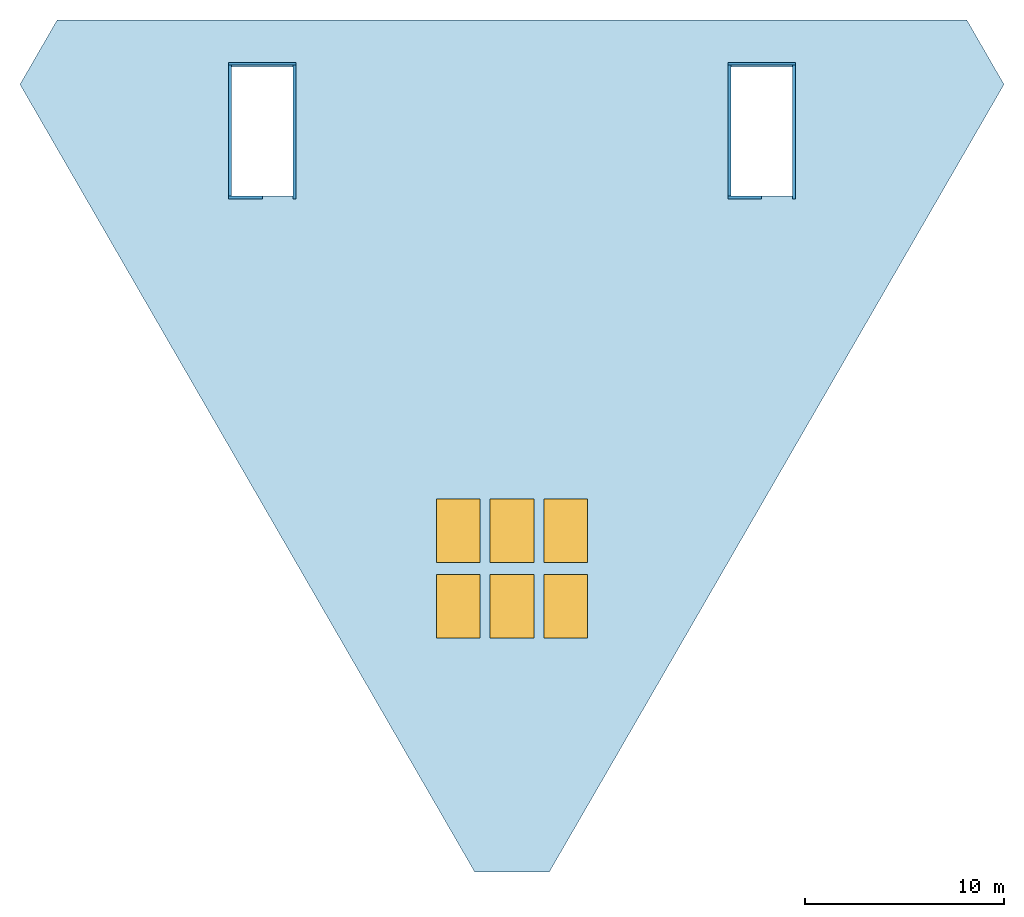
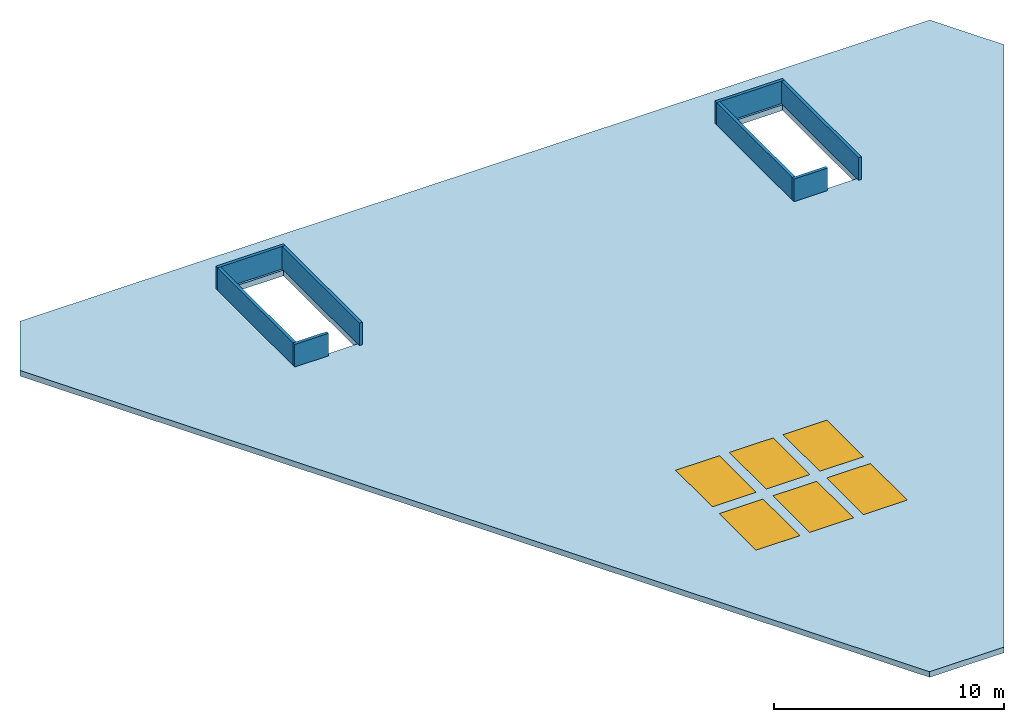
"""IFC4 building model written with IfcOpenShell, lengths in metres."""

from ifc_helpers import new_model, si_unit, direction, frame, frame_2d, origin, origin_2d, place, context, subcontext, project, spatial, polyline, rectangle, outline, extrude, material, layer, layer_set, type_object, element, fill, save


model = new_model("IFC4")

# Units and contexts
model_context = context("Model", 3, precision=1e-05, world=origin(), true_north=direction((0.0, 1.0)))
body_context = subcontext(model_context, "Body", "Model", "MODEL_VIEW")
ifc_project = project(units=[si_unit("LENGTHUNIT", "METRE"), si_unit("AREAUNIT", "SQUARE_METRE"), si_unit("VOLUMEUNIT", "CUBIC_METRE"), si_unit("PLANEANGLEUNIT", "RADIAN"), si_unit("MASSUNIT", "GRAM", prefix="KILO")], contexts=[model_context])

# Site, building, storey
site_placement = place(None, origin())
site = spatial("IfcSite", under=ifc_project, at=site_placement, CompositionType="ELEMENT")
building_placement = place(site_placement, origin())
building = spatial("IfcBuilding", under=site, at=building_placement, Name="Njiva Tower", CompositionType="ELEMENT")
storey_1_placement = place(building_placement, frame((0.0, 0.0, 343.8)))
storey_1 = spatial("IfcBuildingStorey", under=building, at=storey_1_placement, Name="Roof", CompositionType="ELEMENT", Elevation=343.8)

# Slab, openings
ifc_material_1 = material(Name="Concrete C30/37", Category="concrete")
ifc_layer_1 = layer(ifc_material_1, 0.3)
ifc_layer_set_1 = layer_set([ifc_layer_1], Name="Concrete C30/37")
slab_type = type_object("IfcSlabType", Name="SL19 Roof slab 300", PredefinedType="ROOF", material=ifc_layer_set_1)
slab_placement = place(storey_1_placement, frame((0.0, 0.0, -0.3)))
slab = element("IfcSlab", 1, at=slab_placement, inside=storey_1, type_object=slab_type, Name="Roof slab", PredefinedType="ROOF", context=body_context, shape_type="SweptSolid", body=[
    extrude(outline(polyline([(24.7402, 16.7359), (1.8701, -22.8763), (-1.8701, -22.8763), (-24.7402, 16.7359), (-22.8701, 19.975), (22.8701, 19.975), (24.7402, 16.7359)]), holes=[polyline([(-14.106, 11.13), (-10.994, 11.13), (-10.994, 17.6), (-14.106, 17.6), (-14.106, 11.13)]), polyline([(10.994, 11.13), (14.106, 11.13), (14.106, 17.6), (10.994, 17.6), (10.994, 11.13)])]), origin(), (0.0, 0.0, 1.0), 0.3),
])
opening_1_placement = place(slab_placement, frame((-2.7, -9.5, 0.0)))
opening_1 = element("IfcOpeningElement", 2, at=opening_1_placement, cuts=slab, Name="Opening CR-RL1", PredefinedType="OPENING", context=body_context, shape_type="SweptSolid", body=[
    extrude(rectangle(XDim=2.2, YDim=3.2, at=origin_2d()), origin(), (0.0, 0.0, 1.0), 0.3),
])
opening_2_placement = place(slab_placement, frame((0.0, -9.5, 0.0)))
opening_2 = element("IfcOpeningElement", 3, at=opening_2_placement, cuts=slab, Name="Opening CR-RL2", PredefinedType="OPENING", context=body_context, shape_type="SweptSolid", body=[
    extrude(rectangle(XDim=2.2, YDim=3.2, at=origin_2d()), origin(), (0.0, 0.0, 1.0), 0.3),
])
opening_3_placement = place(slab_placement, frame((2.7, -9.5, 0.0)))
opening_3 = element("IfcOpeningElement", 4, at=opening_3_placement, cuts=slab, Name="Opening CR-RL3", PredefinedType="OPENING", context=body_context, shape_type="SweptSolid", body=[
    extrude(rectangle(XDim=2.2, YDim=3.2, at=origin_2d()), origin(), (0.0, 0.0, 1.0), 0.3),
])
opening_4_placement = place(slab_placement, frame((-2.7, -5.7, 0.0)))
opening_4 = element("IfcOpeningElement", 5, at=opening_4_placement, cuts=slab, Name="Opening CR-RL4", PredefinedType="OPENING", context=body_context, shape_type="SweptSolid", body=[
    extrude(rectangle(XDim=2.2, YDim=3.2, at=origin_2d()), origin(), (0.0, 0.0, 1.0), 0.3),
])
opening_5_placement = place(slab_placement, frame((0.0, -5.7, 0.0)))
opening_5 = element("IfcOpeningElement", 6, at=opening_5_placement, cuts=slab, Name="Opening CR-RL5", PredefinedType="OPENING", context=body_context, shape_type="SweptSolid", body=[
    extrude(rectangle(XDim=2.2, YDim=3.2, at=origin_2d()), origin(), (0.0, 0.0, 1.0), 0.3),
])
opening_6_placement = place(slab_placement, frame((2.7, -5.7, 0.0)))
opening_6 = element("IfcOpeningElement", 7, at=opening_6_placement, cuts=slab, Name="Opening CR-RL6", PredefinedType="OPENING", context=body_context, shape_type="SweptSolid", body=[
    extrude(rectangle(XDim=2.2, YDim=3.2, at=origin_2d()), origin(), (0.0, 0.0, 1.0), 0.3),
])

# Storey
storey_2_placement = place(building_placement, frame((0.0, 0.0, 337.8)))
storey_2 = spatial("IfcBuildingStorey", under=building, at=storey_2_placement, Name="L77", CompositionType="ELEMENT", Elevation=337.8)

# Window
ifc_material_2 = material(Name="Clear laminated glass in aluminium frame", Category="aluminium")
window_type = type_object("IfcWindowType", Name="W99 Atrium rooflight 2200x3200", PartitioningType="SINGLE_PANEL", PredefinedType="SKYLIGHT", material=ifc_material_2)
window_1_placement = place(opening_1_placement, frame((0.0, 0.0, 0.25)))
window_1 = element("IfcWindow", 8, at=window_1_placement, inside=storey_2, type_object=window_type, Name="Atrium rooflight", OverallHeight=3.2, OverallWidth=2.2, PartitioningType="SINGLE_PANEL", PredefinedType="SKYLIGHT", context=body_context, shape_type="SweptSolid", body=[
    extrude(rectangle(XDim=2.2, YDim=3.2, at=origin_2d()), origin(), (0.0, 0.0, 1.0), 0.05),
])

fill(opening_1, window_1)

window_2_placement = place(opening_2_placement, frame((0.0, 0.0, 0.25)))
window_2 = element("IfcWindow", 9, at=window_2_placement, inside=storey_2, type_object=window_type, Name="Atrium rooflight", OverallHeight=3.2, OverallWidth=2.2, PartitioningType="SINGLE_PANEL", PredefinedType="SKYLIGHT", context=body_context, shape_type="SweptSolid", body=[
    extrude(rectangle(XDim=2.2, YDim=3.2, at=origin_2d()), origin(), (0.0, 0.0, 1.0), 0.05),
])

fill(opening_2, window_2)

window_3_placement = place(opening_3_placement, frame((0.0, 0.0, 0.25)))
window_3 = element("IfcWindow", 10, at=window_3_placement, inside=storey_2, type_object=window_type, Name="Atrium rooflight", OverallHeight=3.2, OverallWidth=2.2, PartitioningType="SINGLE_PANEL", PredefinedType="SKYLIGHT", context=body_context, shape_type="SweptSolid", body=[
    extrude(rectangle(XDim=2.2, YDim=3.2, at=origin_2d()), origin(), (0.0, 0.0, 1.0), 0.05),
])

fill(opening_3, window_3)

window_4_placement = place(opening_4_placement, frame((0.0, 0.0, 0.25)))
window_4 = element("IfcWindow", 11, at=window_4_placement, inside=storey_2, type_object=window_type, Name="Atrium rooflight", OverallHeight=3.2, OverallWidth=2.2, PartitioningType="SINGLE_PANEL", PredefinedType="SKYLIGHT", context=body_context, shape_type="SweptSolid", body=[
    extrude(rectangle(XDim=2.2, YDim=3.2, at=origin_2d()), origin(), (0.0, 0.0, 1.0), 0.05),
])

fill(opening_4, window_4)

window_5_placement = place(opening_5_placement, frame((0.0, 0.0, 0.25)))
window_5 = element("IfcWindow", 12, at=window_5_placement, inside=storey_2, type_object=window_type, Name="Atrium rooflight", OverallHeight=3.2, OverallWidth=2.2, PartitioningType="SINGLE_PANEL", PredefinedType="SKYLIGHT", context=body_context, shape_type="SweptSolid", body=[
    extrude(rectangle(XDim=2.2, YDim=3.2, at=origin_2d()), origin(), (0.0, 0.0, 1.0), 0.05),
])

fill(opening_5, window_5)

window_6_placement = place(opening_6_placement, frame((0.0, 0.0, 0.25)))
window_6 = element("IfcWindow", 13, at=window_6_placement, inside=storey_2, type_object=window_type, Name="Atrium rooflight", OverallHeight=3.2, OverallWidth=2.2, PartitioningType="SINGLE_PANEL", PredefinedType="SKYLIGHT", context=body_context, shape_type="SweptSolid", body=[
    extrude(rectangle(XDim=2.2, YDim=3.2, at=origin_2d()), origin(), (0.0, 0.0, 1.0), 0.05),
])

fill(opening_6, window_6)

# Walls
ifc_material_3 = material(Name="Blockwork", Category="masonry")
ifc_layer_2 = layer(ifc_material_3, 0.15)
ifc_layer_set_2 = layer_set([ifc_layer_2], Name="Blockwork")
wall_type = type_object("IfcWallType", Name="WT1 Compartment partition 150", PredefinedType="PARTITIONING", material=ifc_layer_set_2)
wall_1_placement = place(storey_1_placement, frame((-14.25, 11.055, 0.0), z_axis=(0.0, 0.0, 1.0), x_axis=(1.0, 0.0, 0.0)))
element("IfcWall", 14, at=wall_1_placement, inside=storey_1, type_object=wall_type, Name="Stair A roof opening upstand", PredefinedType="PARTITIONING", context=body_context, shape_type="SweptSolid", body=[
    extrude(rectangle(XDim=1.7, YDim=0.15, at=frame_2d((0.85, 0.0))), origin(), (0.0, 0.0, 1.0), 1.2),
])
wall_2_placement = place(storey_1_placement, frame((-14.175, 10.98, 0.0), z_axis=(0.0, 0.0, 1.0), x_axis=(0.0, 1.0, 0.0)))
element("IfcWall", 15, at=wall_2_placement, inside=storey_1, type_object=wall_type, Name="Stair A roof opening upstand", PredefinedType="PARTITIONING", context=body_context, shape_type="SweptSolid", body=[
    extrude(rectangle(XDim=6.795, YDim=0.15, at=frame_2d((3.3975, 0.0))), origin(), (0.0, 0.0, 1.0), 1.2),
])
wall_3_placement = place(storey_1_placement, frame((-14.25, 17.775, 0.0), z_axis=(0.0, 0.0, 1.0), x_axis=(1.0, 0.0, 0.0)))
element("IfcWall", 16, at=wall_3_placement, inside=storey_1, type_object=wall_type, Name="Stair A roof opening upstand", PredefinedType="PARTITIONING", context=body_context, shape_type="SweptSolid", body=[
    extrude(rectangle(XDim=3.4, YDim=0.15, at=frame_2d((1.7, 0.0))), origin(), (0.0, 0.0, 1.0), 1.2),
])
wall_4_placement = place(storey_1_placement, frame((-10.925, 17.775, 0.0), z_axis=(0.0, 0.0, 1.0), x_axis=(0.0, -1.0, 0.0)))
element("IfcWall", 17, at=wall_4_placement, inside=storey_1, type_object=wall_type, Name="Stair A roof opening upstand", PredefinedType="PARTITIONING", context=body_context, shape_type="SweptSolid", body=[
    extrude(rectangle(XDim=6.795, YDim=0.15, at=frame_2d((3.3975, 0.0))), origin(), (0.0, 0.0, 1.0), 1.2),
])
wall_5_placement = place(storey_1_placement, frame((10.85, 11.055, 0.0), z_axis=(0.0, 0.0, 1.0), x_axis=(1.0, 0.0, 0.0)))
element("IfcWall", 18, at=wall_5_placement, inside=storey_1, type_object=wall_type, Name="Stair B roof opening upstand", PredefinedType="PARTITIONING", context=body_context, shape_type="SweptSolid", body=[
    extrude(rectangle(XDim=1.7, YDim=0.15, at=frame_2d((0.85, 0.0))), origin(), (0.0, 0.0, 1.0), 1.2),
])
wall_6_placement = place(storey_1_placement, frame((10.925, 10.98, 0.0), z_axis=(0.0, 0.0, 1.0), x_axis=(0.0, 1.0, 0.0)))
element("IfcWall", 19, at=wall_6_placement, inside=storey_1, type_object=wall_type, Name="Stair B roof opening upstand", PredefinedType="PARTITIONING", context=body_context, shape_type="SweptSolid", body=[
    extrude(rectangle(XDim=6.795, YDim=0.15, at=frame_2d((3.3975, 0.0))), origin(), (0.0, 0.0, 1.0), 1.2),
])
wall_7_placement = place(storey_1_placement, frame((10.85, 17.775, 0.0), z_axis=(0.0, 0.0, 1.0), x_axis=(1.0, 0.0, 0.0)))
element("IfcWall", 20, at=wall_7_placement, inside=storey_1, type_object=wall_type, Name="Stair B roof opening upstand", PredefinedType="PARTITIONING", context=body_context, shape_type="SweptSolid", body=[
    extrude(rectangle(XDim=3.4, YDim=0.15, at=frame_2d((1.7, 0.0))), origin(), (0.0, 0.0, 1.0), 1.2),
])
wall_8_placement = place(storey_1_placement, frame((14.175, 17.775, 0.0), z_axis=(0.0, 0.0, 1.0), x_axis=(0.0, -1.0, 0.0)))
element("IfcWall", 21, at=wall_8_placement, inside=storey_1, type_object=wall_type, Name="Stair B roof opening upstand", PredefinedType="PARTITIONING", context=body_context, shape_type="SweptSolid", body=[
    extrude(rectangle(XDim=6.795, YDim=0.15, at=frame_2d((3.3975, 0.0))), origin(), (0.0, 0.0, 1.0), 1.2),
])

save(model, "model.ifc")
